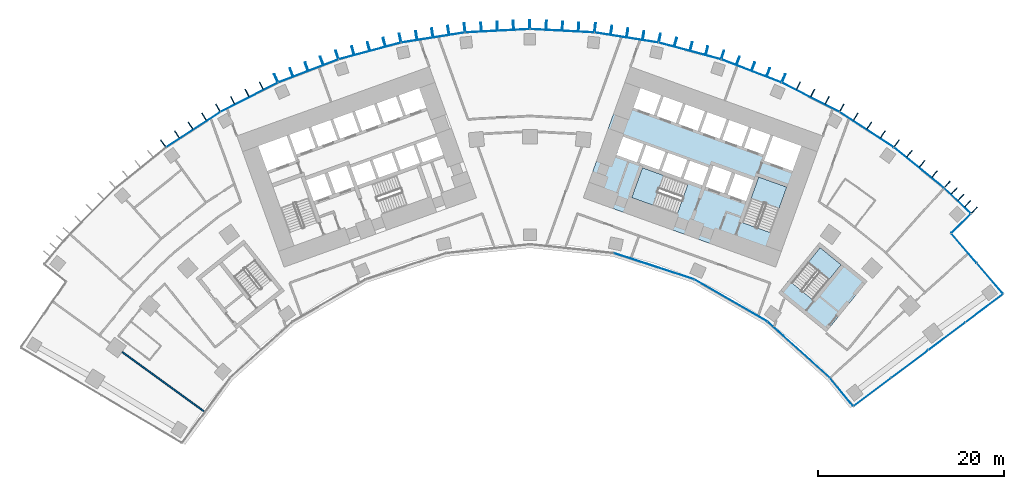
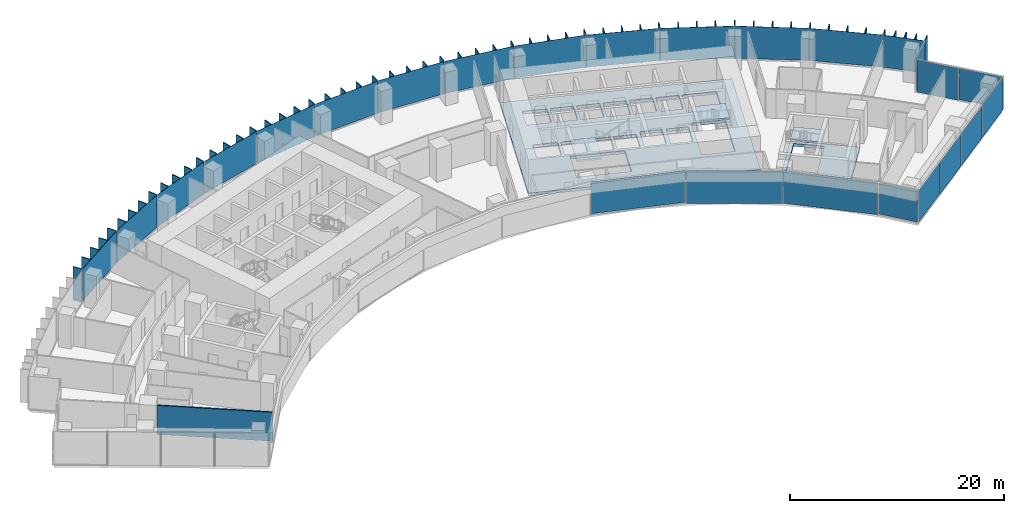
# One storey, part 16 of 24: 82 plates, 5 slabs, 1 wall, 8 elements without a shape of their own.
"""IFC4 building model written with IfcOpenShell, lengths in metres."""

from ifc_helpers import new_model, si_unit, direction, frame, frame_2d, origin, origin_2d, place, context, subcontext, project, spatial, polyline, rectangle, outline, extrude, material, layer, layer_set, type_object, element, aggregate, save


model = new_model("IFC4")

# Units and contexts
model_context = context("Model", 3, precision=1e-05, world=origin(), true_north=direction((0.0, 1.0)))
body_context = subcontext(model_context, "Body", "Model", "MODEL_VIEW")
ifc_project = project(units=[si_unit("LENGTHUNIT", "METRE"), si_unit("AREAUNIT", "SQUARE_METRE"), si_unit("VOLUMEUNIT", "CUBIC_METRE"), si_unit("PLANEANGLEUNIT", "RADIAN"), si_unit("MASSUNIT", "GRAM", prefix="KILO")], contexts=[model_context])

# Site, building, storey
site_placement = place(None, origin())
site = spatial("IfcSite", under=ifc_project, at=site_placement, CompositionType="ELEMENT")
building_placement = place(site_placement, origin())
building = spatial("IfcBuilding", under=site, at=building_placement, Name="Stone Belt Terrace Tower", CompositionType="ELEMENT")
storey_placement = place(building_placement, frame((0.0, 0.0, 75.60009765625)))
storey = spatial("IfcBuildingStorey", under=building, at=storey_placement, Name="L18", CompositionType="ELEMENT", Elevation=75.60009765625)

# Curtain wall, plates
ifc_material_1 = material(Name="Aluminium 6063-T6 anodised frame", Category="aluminium")
ifc_layer_1 = layer(ifc_material_1, 0.14990234375)
ifc_layer_set_1 = layer_set([ifc_layer_1], Name="CW-A unitised convex-face curtain wall")
curtain_wall_type_1 = type_object("IfcCurtainWallType", Name="CW-A unitised convex-face curtain wall", PredefinedType="NOTDEFINED", material=ifc_layer_set_1)
curtain_wall_1_placement = place(storey_placement, origin())
curtain_wall_1 = element("IfcCurtainWall", 1, at=curtain_wall_1_placement, inside=storey, type_object=curtain_wall_type_1, Name="CW-A convex face L18", PredefinedType="NOTDEFINED")
ifc_material_2 = material(Name="Clear double glazed unit")
ifc_layer_2 = layer(ifc_material_2, 0.031982421875)
ifc_layer_set_2 = layer_set([ifc_layer_2], Name="CW-A glass panel 32")
plate_type_1 = type_object("IfcPlateType", Name="CW-A glass panel 32", PredefinedType="CURTAIN_PANEL", material=ifc_layer_set_2)
plate_1_placement = place(storey_placement, frame((45.9765625, 48.109619140625, 0.14013671875), z_axis=(0.0, 0.0, 1.0), x_axis=(-0.723120883539, 0.690721497993, 0.0)))
plate_1 = element("IfcPlate", 2, at=plate_1_placement, type_object=plate_type_1, Name="CW-A panel 1.1", PredefinedType="CURTAIN_PANEL", context=body_context, shape_type="SweptSolid", body=[
    extrude(rectangle(XDim=3.888671875, YDim=0.031982421875, at=origin_2d()), origin(), (0.0, 0.0, 1.0), 3.659912109375),
])
plate_2_placement = place(storey_placement, frame((41.839599609375, 51.667724609375, 0.14013671875), z_axis=(0.0, 0.0, 1.0), x_axis=(-0.777145961457, 0.62932039105, 0.0)))
plate_2 = element("IfcPlate", 3, at=plate_2_placement, type_object=plate_type_1, Name="CW-A panel 2.1", PredefinedType="CURTAIN_PANEL", context=body_context, shape_type="SweptSolid", body=[
    extrude(rectangle(XDim=6.900634765625, YDim=0.031982421875, at=origin_2d()), origin(), (0.0, 0.0, 1.0), 3.659912109375),
])
plate_3_placement = place(storey_placement, frame((36.209716796875, 55.758056640625, 0.14013671875), z_axis=(0.0, 0.0, 1.0), x_axis=(-0.838670567945, 0.544639035015, 0.0)))
plate_3 = element("IfcPlate", 4, at=plate_3_placement, type_object=plate_type_1, Name="CW-A panel 3.1", PredefinedType="CURTAIN_PANEL", context=body_context, shape_type="SweptSolid", body=[
    extrude(rectangle(XDim=6.90087890625, YDim=0.031982421875, at=origin_2d()), origin(), (0.0, 0.0, 1.0), 3.659912109375),
])
plate_4_placement = place(storey_placement, frame((30.18310546875, 59.237548828125, 0.14013671875), z_axis=(0.0, 0.0, 1.0), x_axis=(-0.891006524188, 0.45399049974, 0.0)))
plate_4 = element("IfcPlate", 5, at=plate_4_placement, type_object=plate_type_1, Name="CW-A panel 4.1", PredefinedType="CURTAIN_PANEL", context=body_context, shape_type="SweptSolid", body=[
    extrude(rectangle(XDim=6.90087890625, YDim=0.031982421875, at=origin_2d()), origin(), (0.0, 0.0, 1.0), 3.659912109375),
])
plate_5_placement = place(storey_placement, frame((23.82568359375, 62.068115234375, 0.14013671875), z_axis=(0.0, 0.0, 1.0), x_axis=(-0.933580426497, 0.358367949545, 0.0)))
plate_5 = element("IfcPlate", 6, at=plate_5_placement, type_object=plate_type_1, Name="CW-A panel 5.1", PredefinedType="CURTAIN_PANEL", context=body_context, shape_type="SweptSolid", body=[
    extrude(rectangle(XDim=6.90087890625, YDim=0.031982421875, at=origin_2d()), origin(), (0.0, 0.0, 1.0), 3.659912109375),
])
plate_6_placement = place(storey_placement, frame((17.207275390625, 64.218505859375, 0.14013671875), z_axis=(0.0, 0.0, 1.0), x_axis=(-0.965925826289, 0.258819045103, 0.0)))
plate_6 = element("IfcPlate", 7, at=plate_6_placement, type_object=plate_type_1, Name="CW-A panel 6.1", PredefinedType="CURTAIN_PANEL", context=body_context, shape_type="SweptSolid", body=[
    extrude(rectangle(XDim=6.90087890625, YDim=0.031982421875, at=origin_2d()), origin(), (0.0, 0.0, 1.0), 3.659912109375),
])
plate_7_placement = place(storey_placement, frame((10.400390625, 65.665283203125, 0.14013671875), z_axis=(0.0, 0.0, 1.0), x_axis=(-0.987688340595, 0.15643446504, 0.0)))
plate_7 = element("IfcPlate", 8, at=plate_7_placement, type_object=plate_type_1, Name="CW-A panel 7.1", PredefinedType="CURTAIN_PANEL", context=body_context, shape_type="SweptSolid", body=[
    extrude(rectangle(XDim=6.90087890625, YDim=0.031982421875, at=origin_2d()), origin(), (0.0, 0.0, 1.0), 3.659912109375),
])
plate_8_placement = place(storey_placement, frame((3.4794921875, 66.392822265625, 0.14013671875), z_axis=(0.0, 0.0, 1.0), x_axis=(-0.998629534755, 0.052335956243, 0.0)))
plate_8 = element("IfcPlate", 9, at=plate_8_placement, type_object=plate_type_1, Name="CW-A panel 8.1", PredefinedType="CURTAIN_PANEL", context=body_context, shape_type="SweptSolid", body=[
    extrude(rectangle(XDim=6.90087890625, YDim=0.031982421875, at=origin_2d()), origin(), (0.0, 0.0, 1.0), 3.659912109375),
])
plate_9_placement = place(storey_placement, frame((-3.4794921875, 66.392822265625, 0.14013671875), z_axis=(0.0, 0.0, 1.0), x_axis=(-0.998629534755, -0.052335956243, 0.0)))
plate_9 = element("IfcPlate", 10, at=plate_9_placement, type_object=plate_type_1, Name="CW-A panel 9.1", PredefinedType="CURTAIN_PANEL", context=body_context, shape_type="SweptSolid", body=[
    extrude(rectangle(XDim=6.90087890625, YDim=0.031982421875, at=origin_2d()), origin(), (0.0, 0.0, 1.0), 3.659912109375),
])
plate_10_placement = place(storey_placement, frame((-10.400390625, 65.665283203125, 0.14013671875), z_axis=(0.0, 0.0, 1.0), x_axis=(-0.987688340595, -0.15643446504, 0.0)))
plate_10 = element("IfcPlate", 11, at=plate_10_placement, type_object=plate_type_1, Name="CW-A panel 10.1", PredefinedType="CURTAIN_PANEL", context=body_context, shape_type="SweptSolid", body=[
    extrude(rectangle(XDim=6.90087890625, YDim=0.031982421875, at=origin_2d()), origin(), (0.0, 0.0, 1.0), 3.659912109375),
])
plate_11_placement = place(storey_placement, frame((-17.207275390625, 64.218505859375, 0.14013671875), z_axis=(0.0, 0.0, 1.0), x_axis=(-0.965925826289, -0.258819045103, 0.0)))
plate_11 = element("IfcPlate", 12, at=plate_11_placement, type_object=plate_type_1, Name="CW-A panel 11.1", PredefinedType="CURTAIN_PANEL", context=body_context, shape_type="SweptSolid", body=[
    extrude(rectangle(XDim=6.90087890625, YDim=0.031982421875, at=origin_2d()), origin(), (0.0, 0.0, 1.0), 3.659912109375),
])
plate_12_placement = place(storey_placement, frame((-23.82568359375, 62.068115234375, 0.14013671875), z_axis=(0.0, 0.0, 1.0), x_axis=(-0.933580426497, -0.358367949545, 0.0)))
plate_12 = element("IfcPlate", 13, at=plate_12_placement, type_object=plate_type_1, Name="CW-A panel 12.1", PredefinedType="CURTAIN_PANEL", context=body_context, shape_type="SweptSolid", body=[
    extrude(rectangle(XDim=6.90087890625, YDim=0.031982421875, at=origin_2d()), origin(), (0.0, 0.0, 1.0), 3.659912109375),
])
plate_13_placement = place(storey_placement, frame((-30.18310546875, 59.237548828125, 0.14013671875), z_axis=(0.0, 0.0, 1.0), x_axis=(-0.891006524188, -0.45399049974, 0.0)))
plate_13 = element("IfcPlate", 14, at=plate_13_placement, type_object=plate_type_1, Name="CW-A panel 13.1", PredefinedType="CURTAIN_PANEL", context=body_context, shape_type="SweptSolid", body=[
    extrude(rectangle(XDim=6.90087890625, YDim=0.031982421875, at=origin_2d()), origin(), (0.0, 0.0, 1.0), 3.659912109375),
])
plate_14_placement = place(storey_placement, frame((-36.209716796875, 55.758056640625, 0.14013671875), z_axis=(0.0, 0.0, 1.0), x_axis=(-0.838670567945, -0.544639035015, 0.0)))
plate_14 = element("IfcPlate", 15, at=plate_14_placement, type_object=plate_type_1, Name="CW-A panel 14.1", PredefinedType="CURTAIN_PANEL", context=body_context, shape_type="SweptSolid", body=[
    extrude(rectangle(XDim=6.90087890625, YDim=0.031982421875, at=origin_2d()), origin(), (0.0, 0.0, 1.0), 3.659912109375),
])
aggregate(curtain_wall_1, [plate_1, plate_2, plate_3, plate_4, plate_5, plate_6, plate_7, plate_8, plate_9, plate_10, plate_11, plate_12, plate_13, plate_14])

ifc_layer_3 = layer(ifc_material_1, 0.14990234375)
ifc_layer_set_3 = layer_set([ifc_layer_3], Name="CW-B unitised concave-face curtain wall")
curtain_wall_type_2 = type_object("IfcCurtainWallType", Name="CW-B unitised concave-face curtain wall", PredefinedType="NOTDEFINED", material=ifc_layer_set_3)
curtain_wall_2_placement = place(storey_placement, origin())
curtain_wall_2 = element("IfcCurtainWall", 16, at=curtain_wall_2_placement, inside=storey, type_object=curtain_wall_type_2, Name="CW-B concave face L18", PredefinedType="NOTDEFINED")
ifc_layer_4 = layer(ifc_material_2, 0.030029296875)
ifc_layer_set_4 = layer_set([ifc_layer_4], Name="CW-B glass panel 30")
plate_type_2 = type_object("IfcPlateType", Name="CW-B glass panel 30", PredefinedType="CURTAIN_PANEL", material=ifc_layer_set_4)
plate_15_placement = place(storey_placement, frame((13.345458984375, 41.072998046875, 0.119873046875), z_axis=(0.0, 0.0, 1.0), x_axis=(0.951056516295, -0.309016994375, 0.0)))
plate_15 = element("IfcPlate", 17, at=plate_15_placement, type_object=plate_type_2, Name="CW-B panel 7.1", PredefinedType="CURTAIN_PANEL", context=body_context, shape_type="SweptSolid", body=[
    extrude(rectangle(XDim=9.0126953125, YDim=0.030029296875, at=origin_2d()), origin(), (0.0, 0.0, 1.0), 3.56005859375),
])
plate_16_placement = place(storey_placement, frame((21.59326171875, 37.40087890625, 0.0), z_axis=(0.0, 0.0, 1.0), x_axis=(0.866025403784, -0.5, 0.0)))
plate_16 = element("IfcPlate", 18, at=plate_16_placement, type_object=plate_type_2, Name="CW-B panel 8.1", PredefinedType="CURTAIN_PANEL", context=body_context, shape_type="SweptSolid", body=[
    extrude(rectangle(XDim=9.0126953125, YDim=0.030029296875, at=origin_2d()), origin(), (0.0, 0.0, 1.0), 3.679931640625),
])
plate_17_placement = place(storey_placement, frame((28.899169921875, 32.092529296875, 0.0), z_axis=(0.0, 0.0, 1.0), x_axis=(0.743144825477, -0.669130606359, 0.0)))
plate_17 = element("IfcPlate", 19, at=plate_17_placement, type_object=plate_type_2, Name="CW-B panel 9.1", PredefinedType="CURTAIN_PANEL", context=body_context, shape_type="SweptSolid", body=[
    extrude(rectangle(XDim=9.017333984375, YDim=0.030029296875, at=origin_2d()), origin(), (0.0, 0.0, 1.0), 3.679931640625),
])
plate_18_placement = place(storey_placement, frame((33.517333984375, 27.541748046875, 0.119873046875), z_axis=(0.0, 0.0, 1.0), x_axis=(0.635210426236, -0.772339118782, 0.0)))
plate_18 = element("IfcPlate", 20, at=plate_18_placement, type_object=plate_type_2, Name="CW-B panel 10.1", PredefinedType="CURTAIN_PANEL", context=body_context, shape_type="SweptSolid", body=[
    extrude(rectangle(XDim=3.858154296875, YDim=0.030029296875, at=origin_2d()), origin(), (0.0, 0.0, 1.0), 3.56005859375),
])
aggregate(curtain_wall_2, [plate_15, plate_16, plate_17, plate_18])

ifc_layer_5 = layer(ifc_material_1, 0.14990234375)
ifc_layer_set_5 = layer_set([ifc_layer_5], Name="CW-C stick curtain wall, horn ends and notches")
curtain_wall_type_3 = type_object("IfcCurtainWallType", Name="CW-C stick curtain wall, horn ends and notches", PredefinedType="NOTDEFINED", material=ifc_layer_set_5)
curtain_wall_3_placement = place(storey_placement, origin())
curtain_wall_3 = element("IfcCurtainWall", 21, at=curtain_wall_3_placement, inside=storey, type_object=curtain_wall_type_3, Name="CW-C end face L18", PredefinedType="NOTDEFINED")
ifc_layer_6 = layer(ifc_material_2, 0.028076171875)
ifc_layer_set_6 = layer_set([ifc_layer_6], Name="CW-C glass panel 28")
plate_type_3 = type_object("IfcPlateType", Name="CW-C glass panel 28", PredefinedType="CURTAIN_PANEL", material=ifc_layer_set_6)
plate_19_placement = place(storey_placement, frame((36.8330078125, 27.532470703125, 0.119873046875), z_axis=(0.0, 0.0, 1.0), x_axis=(0.799986505357, 0.600017992436, 0.0)))
plate_19 = element("IfcPlate", 22, at=plate_19_placement, type_object=plate_type_3, Name="CW-C panel 1.1", PredefinedType="CURTAIN_PANEL", context=body_context, shape_type="SweptSolid", body=[
    extrude(rectangle(XDim=4.96826171875, YDim=0.028076171875, at=origin_2d()), origin(), (0.0, 0.0, 1.0), 3.56005859375),
])
plate_20_placement = place(storey_placement, frame((40.84423828125, 30.541015625, 0.0), z_axis=(0.0, 0.0, 1.0), x_axis=(0.799986505357, 0.600017992436, 0.0)))
plate_20 = element("IfcPlate", 23, at=plate_20_placement, type_object=plate_type_3, Name="CW-C panel 2.1", PredefinedType="CURTAIN_PANEL", context=body_context, shape_type="SweptSolid", body=[
    extrude(rectangle(XDim=4.93994140625, YDim=0.028076171875, at=origin_2d()), origin(), (0.0, 0.0, 1.0), 3.679931640625),
])
plate_21_placement = place(storey_placement, frame((44.84423828125, 33.541015625, 0.0), z_axis=(0.0, 0.0, 1.0), x_axis=(0.799986505357, 0.600017992436, 0.0)))
plate_21 = element("IfcPlate", 24, at=plate_21_placement, type_object=plate_type_3, Name="CW-C panel 3.1", PredefinedType="CURTAIN_PANEL", context=body_context, shape_type="SweptSolid", body=[
    extrude(rectangle(XDim=4.93994140625, YDim=0.028076171875, at=origin_2d()), origin(), (0.0, 0.0, 1.0), 3.679931640625),
])
plate_22_placement = place(storey_placement, frame((48.858154296875, 36.551513671875, 0.0), z_axis=(0.0, 0.0, 1.0), x_axis=(0.799986505357, 0.600017992436, 0.0)))
plate_22 = element("IfcPlate", 25, at=plate_22_placement, type_object=plate_type_3, Name="CW-C panel 4.1", PredefinedType="CURTAIN_PANEL", context=body_context, shape_type="SweptSolid", body=[
    extrude(rectangle(XDim=4.974853515625, YDim=0.028076171875, at=origin_2d()), origin(), (0.0, 0.0, 1.0), 3.679931640625),
])
aggregate(curtain_wall_3, [plate_19, plate_20, plate_21, plate_22])

curtain_wall_4_placement = place(storey_placement, origin())
curtain_wall_4 = element("IfcCurtainWall", 26, at=curtain_wall_4_placement, inside=storey, type_object=curtain_wall_type_3, Name="CW-C notch face L18", PredefinedType="NOTDEFINED")
plate_23_placement = place(storey_placement, frame((49.466064453125, 39.76318359375, 0.119873046875), z_axis=(0.0, 0.0, 1.0), x_axis=(-0.652737860281, 0.757583847343, 0.0)))
plate_23 = element("IfcPlate", 27, at=plate_23_placement, type_object=plate_type_3, Name="CW-C panel 1.1", PredefinedType="CURTAIN_PANEL", context=body_context, shape_type="SweptSolid", body=[
    extrude(rectangle(XDim=4.268798828125, YDim=0.028076171875, at=origin_2d()), origin(), (0.0, 0.0, 1.0), 3.56005859375),
])
plate_24_placement = place(storey_placement, frame((46.68896484375, 42.986572265625, 0.0), z_axis=(0.0, 0.0, 1.0), x_axis=(-0.652737860281, 0.757583847343, 0.0)))
plate_24 = element("IfcPlate", 28, at=plate_24_placement, type_object=plate_type_3, Name="CW-C panel 2.1", PredefinedType="CURTAIN_PANEL", context=body_context, shape_type="SweptSolid", body=[
    extrude(rectangle(XDim=4.12060546875, YDim=0.028076171875, at=origin_2d()), origin(), (0.0, 0.0, 1.0), 3.679931640625),
])
aggregate(curtain_wall_4, [plate_23, plate_24])

# Curtain wall, plate
curtain_wall_5_placement = place(storey_placement, origin())
curtain_wall_5 = element("IfcCurtainWall", 29, at=curtain_wall_5_placement, inside=storey, type_object=curtain_wall_type_3, Name="CW-C notch face L18", PredefinedType="NOTDEFINED")
plate_25_placement = place(storey_placement, frame((46.365966796875, 45.658447265625, 0.119873046875), z_axis=(0.0, 0.0, 1.0), x_axis=(0.711713447851, 0.702469905511, 0.0)))
plate_25 = element("IfcPlate", 30, at=plate_25_placement, type_object=plate_type_3, Name="CW-C panel 1.1", PredefinedType="CURTAIN_PANEL", context=body_context, shape_type="SweptSolid", body=[
    extrude(rectangle(XDim=2.859375, YDim=0.028076171875, at=origin_2d()), origin(), (0.0, 0.0, 1.0), 3.56005859375),
])
aggregate(curtain_wall_5, [plate_25])

# Slabs
ifc_material_3 = material(Name="Concrete B40", Category="concrete")
ifc_layer_7 = layer(ifc_material_3, 0.320068359375)
ifc_layer_set_7 = layer_set([ifc_layer_7], Name="Core floor slab 320")
slab_type_1 = type_object("IfcSlabType", Name="Core floor slab 320", PredefinedType="FLOOR", material=ifc_layer_set_7)
slab_1_placement = place(storey_placement, frame((0.0, 0.0, -0.320068359375)))
element("IfcSlab", 31, at=slab_1_placement, inside=storey, type_object=slab_type_1, Name="Core B floor L18", PredefinedType="FLOOR", context=body_context, shape_type="SweptSolid", body=[
    extrude(outline(polyline([(26.43505859375, 40.968994140625), (31.513916015625, 55.0830078125), (10.81396484375, 62.531982421875), (5.735107421875, 48.4189453125), (26.43505859375, 40.968994140625)]), holes=[polyline([(12.10595703125, 51.652099609375), (16.998046875, 49.89208984375), (15.846923828125, 46.69189453125), (10.955078125, 48.452880859375), (12.10595703125, 51.652099609375)]), polyline([(19.239990234375, 51.68896484375), (18.5458984375, 49.760009765625), (16.52294921875, 50.488037109375), (17.217041015625, 52.4169921875), (19.239990234375, 51.68896484375)]), polyline([(16.239990234375, 50.589111328125), (14.169921875, 51.333984375), (14.864013671875, 53.262939453125), (16.93408203125, 52.51806640625), (16.239990234375, 50.589111328125)]), polyline([(14.58203125, 53.364990234375), (13.887939453125, 51.43603515625), (11.864990234375, 52.1640625), (11.847900390625, 52.116943359375), (11.801025390625, 52.134033203125), (12.511962890625, 54.110107421875), (14.58203125, 53.364990234375)]), polyline([(9.30810546875, 53.031005859375), (10.01904296875, 55.007080078125), (12.22998046875, 54.2109375), (11.51904296875, 52.235107421875), (9.30810546875, 53.031005859375)]), polyline([(16.743896484375, 58.485107421875), (18.81396484375, 57.739990234375), (18.052001953125, 55.623046875), (15.98193359375, 56.367919921875), (16.743896484375, 58.485107421875)]), polyline([(14.39111328125, 59.33203125), (16.4609375, 58.5869140625), (15.699951171875, 56.469970703125), (13.6298828125, 57.215087890625), (14.39111328125, 59.33203125)]), polyline([(11.89794921875, 60.22900390625), (14.10888671875, 59.43408203125), (13.346923828125, 57.31591796875), (11.135986328125, 58.112060546875), (11.89794921875, 60.22900390625)]), polyline([(25.85888671875, 44.68408203125), (22.847900390625, 45.76806640625), (24.60791015625, 50.659912109375), (27.618896484375, 49.575927734375), (25.85888671875, 44.68408203125)]), polyline([(21.27392578125, 48.778076171875), (22.0869140625, 51.035888671875), (24.06298828125, 50.324951171875), (23.25, 48.06689453125), (21.27392578125, 48.778076171875)]), polyline([(18.922119140625, 49.6240234375), (19.735107421875, 51.883056640625), (21.7109375, 51.1708984375), (20.89794921875, 48.9130859375), (18.922119140625, 49.6240234375)]), polyline([(29.2109375, 53.9990234375), (28.24609375, 51.31689453125), (25.18798828125, 52.41796875), (26.153076171875, 55.09912109375), (29.2109375, 53.9990234375)]), polyline([(23.801025390625, 55.946044921875), (25.87109375, 55.200927734375), (25.10888671875, 53.083984375), (23.0390625, 53.8291015625), (23.801025390625, 55.946044921875)]), polyline([(21.447998046875, 56.7919921875), (23.51806640625, 56.047119140625), (22.756103515625, 53.929931640625), (20.68603515625, 54.675048828125), (21.447998046875, 56.7919921875)]), polyline([(19.095947265625, 57.638916015625), (21.166015625, 56.89404296875), (20.404052734375, 54.777099609375), (18.333984375, 55.52197265625), (19.095947265625, 57.638916015625)])]), origin(), (0.0, 0.0, 1.0), 0.320068359375),
])
slab_2_placement = place(storey_placement, frame((0.0, 0.0, -0.320068359375)))
element("IfcSlab", 32, at=slab_2_placement, inside=storey, type_object=slab_type_1, Name="Exit stair ST3B floor L18", PredefinedType="FLOOR", context=body_context, shape_type="SweptSolid", body=[
    extrude(outline(polyline([(26.741943359375, 38.18408203125), (31.866943359375, 34.02392578125), (36.278076171875, 39.458984375), (31.154052734375, 43.618896484375), (26.741943359375, 38.18408203125)]), holes=[polyline([(30.407958984375, 37.462890625), (28.156005859375, 39.291015625), (31.2119140625, 43.055908203125), (33.464111328125, 41.22802734375), (30.407958984375, 37.462890625)])]), origin(), (0.0, 0.0, 1.0), 0.320068359375),
])

# Stair, slab
stair_type = type_object("IfcStairType", Name="Exit stair 1500", PredefinedType="HALF_TURN_STAIR", material=ifc_material_3)
stair_1_placement = place(storey_placement, origin())
stair_1 = element("IfcStair", 33, at=stair_1_placement, inside=storey, type_object=stair_type, Name="L18 Exit stair 1 core B", PredefinedType="HALF_TURN_STAIR")
ifc_layer_8 = layer(ifc_material_3, 0.199951171875)
ifc_layer_set_8 = layer_set([ifc_layer_8], Name="Stair landing 200")
slab_type_2 = type_object("IfcSlabType", Name="Stair landing 200", PredefinedType="LANDING", material=ifc_layer_set_8)
slab_3_placement = place(storey_placement, frame((0.0, 0.0, 1.699951171875)))
slab_3 = element("IfcSlab", 34, at=slab_3_placement, type_object=slab_type_2, Name="ST1B landing 1", PredefinedType="LANDING", context=body_context, shape_type="SweptSolid", body=[
    extrude(outline(polyline([(26.806396484375, 47.3173828125), (27.619384765625, 49.576171875), (24.6083984375, 50.659912109375), (23.79541015625, 48.40087890625), (26.806396484375, 47.3173828125)])), origin(), (0.0, 0.0, 1.0), 0.199951171875),
])
aggregate(stair_1, [slab_3])

stair_2_placement = place(storey_placement, origin())
stair_2 = element("IfcStair", 35, at=stair_2_placement, inside=storey, type_object=stair_type, Name="L18 Exit stair 2 core B", PredefinedType="HALF_TURN_STAIR")
slab_4_placement = place(storey_placement, frame((0.0, 0.0, 1.699951171875)))
slab_4 = element("IfcSlab", 36, at=slab_4_placement, type_object=slab_type_2, Name="ST2B landing 1", PredefinedType="LANDING", context=body_context, shape_type="SweptSolid", body=[
    extrude(outline(polyline([(14.36474609375, 50.839111328125), (12.10595703125, 51.652099609375), (10.95458984375, 48.453125), (13.213623046875, 47.64013671875), (14.36474609375, 50.839111328125)])), origin(), (0.0, 0.0, 1.0), 0.199951171875),
])
aggregate(stair_2, [slab_4])

stair_3_placement = place(storey_placement, origin())
stair_3 = element("IfcStair", 37, at=stair_3_placement, inside=storey, type_object=stair_type, Name="L18 Exit stair 3B", PredefinedType="HALF_TURN_STAIR")
slab_5_placement = place(storey_placement, frame((0.0, 0.0, 1.699951171875)))
slab_5 = element("IfcSlab", 38, at=slab_5_placement, type_object=slab_type_2, Name="ST3B landing 1", PredefinedType="LANDING", context=body_context, shape_type="SweptSolid", body=[
    extrude(outline(polyline([(32.17138671875, 39.635986328125), (33.4638671875, 41.228271484375), (31.21240234375, 43.055908203125), (29.919921875, 41.463623046875), (32.17138671875, 39.635986328125)])), origin(), (0.0, 0.0, 1.0), 0.199951171875),
])
aggregate(stair_3, [slab_5])

# Plates
ifc_material_4 = material(Name="Terracotta coloured glazed ceramic", Category="masonry")
ifc_layer_9 = layer(ifc_material_4, 0.10009765625)
ifc_layer_set_9 = layer_set([ifc_layer_9], Name="Terracotta fin 100 x 900")
plate_type_4 = type_object("IfcPlateType", Name="Terracotta fin 100 x 900", PredefinedType="SHEET", material=ifc_layer_set_9)
for number, where, z_axis, x_axis, name in (
    (39, (47.79931640625, 47.0947265625, 0.0), (0.0, 0.0, 1.0), (0.690721497993, 0.723120883539, 0.0), "FIN L18 1.1"),
    (40, (47.07666015625, 47.784912109375, 0.0), (0.0, 0.0, 1.0), (0.690721497993, 0.723120883539, 0.0), "FIN L18 1.2"),
    (41, (46.354248046875, 48.474853515625, 0.0), (0.0, 0.0, 1.0), (0.690721497993, 0.723120883539, 0.0), "FIN L18 1.3"),
    (42, (45.6318359375, 49.1650390625, 0.0), (0.0, 0.0, 1.0), (0.690721497993, 0.723120883539, 0.0), "FIN L18 1.4"),
    (43, (44.8935546875, 49.86962890625, 0.0), (0.0, 0.0, 1.0), (0.660573481499, 0.75076139721, 0.0), "FIN L18 2.1"),
    (44, (43.5234375, 50.979736328125, 0.0), (0.0, 0.0, 1.0), (0.62932039105, 0.777145961457, 0.0), "FIN L18 2.2"),
    (45, (42.169677734375, 52.075927734375, 0.0), (0.0, 0.0, 1.0), (0.62932039105, 0.777145961457, 0.0), "FIN L18 2.3"),
    (46, (40.81591796875, 53.172119140625, 0.0), (0.0, 0.0, 1.0), (0.62932039105, 0.777145961457, 0.0), "FIN L18 2.4"),
    (47, (39.4404296875, 54.28515625, 0.0), (0.0, 0.0, 1.0), (0.587785252292, 0.809016994375, 0.0), "FIN L18 3.1"),
    (48, (37.956787109375, 55.24951171875, 0.0), (0.0, 0.0, 1.0), (0.544639035015, 0.838670567945, 0.0), "FIN L18 3.2"),
    (49, (36.49560546875, 56.1982421875, 0.0), (0.0, 0.0, 1.0), (0.544639035015, 0.838670567945, 0.0), "FIN L18 3.3"),
    (50, (35.03466796875, 57.147216796875, 0.0), (0.0, 0.0, 1.0), (0.544639035015, 0.838670567945, 0.0), "FIN L18 3.4"),
    (51, (33.550048828125, 58.1103515625, 0.0), (0.0, 0.0, 1.0), (0.5, 0.866025403784, 0.0), "FIN L18 4.1"),
    (52, (31.9736328125, 58.914306640625, 0.0), (0.0, 0.0, 1.0), (0.45399049974, 0.891006524188, 0.0), "FIN L18 4.2"),
    (53, (30.42138671875, 59.705322265625, 0.0), (0.0, 0.0, 1.0), (0.45399049974, 0.891006524188, 0.0), "FIN L18 4.3"),
    (54, (28.869140625, 60.496337890625, 0.0), (0.0, 0.0, 1.0), (0.45399049974, 0.891006524188, 0.0), "FIN L18 4.4"),
    (55, (27.2919921875, 61.299072265625, 0.0), (0.0, 0.0, 1.0), (0.406736643076, 0.913545457643, 0.0), "FIN L18 5.1"),
    (56, (25.64013671875, 61.933837890625, 0.0), (0.0, 0.0, 1.0), (0.358367949545, 0.933580426497, 0.0), "FIN L18 5.2"),
    (57, (24.013916015625, 62.55810546875, 0.0), (0.0, 0.0, 1.0), (0.358367949545, 0.933580426497, 0.0), "FIN L18 5.3"),
    (58, (22.387451171875, 63.182373046875, 0.0), (0.0, 0.0, 1.0), (0.358367949545, 0.933580426497, 0.0), "FIN L18 5.4"),
    (59, (20.735107421875, 63.81591796875, 0.0), (0.0, 0.0, 1.0), (0.309016994375, 0.951056516295, 0.0), "FIN L18 6.1"),
    (60, (19.02587890625, 64.274658203125, 0.0), (0.0, 0.0, 1.0), (0.258819045103, 0.965925826289, 0.0), "FIN L18 6.2"),
    (61, (17.34326171875, 64.7255859375, 0.0), (0.0, 0.0, 1.0), (0.258819045103, 0.965925826289, 0.0), "FIN L18 6.3"),
    (62, (15.660400390625, 65.176513671875, 0.0), (0.0, 0.0, 1.0), (0.258819045103, 0.965925826289, 0.0), "FIN L18 6.4"),
    (63, (13.950927734375, 65.6337890625, 0.0), (0.0, 0.0, 1.0), (0.207911690818, 0.978147600734, 0.0), "FIN L18 7.1"),
    (64, (12.203125, 65.911376953125, 0.0), (0.0, 0.0, 1.0), (0.15643446504, 0.987688340595, 0.0), "FIN L18 7.2"),
    (65, (10.482421875, 66.183837890625, 0.0), (0.0, 0.0, 1.0), (0.15643446504, 0.987688340595, 0.0), "FIN L18 7.3"),
    (66, (8.76171875, 66.456298828125, 0.0), (0.0, 0.0, 1.0), (0.15643446504, 0.987688340595, 0.0), "FIN L18 7.4"),
    (67, (7.013916015625, 66.732421875, 0.0), (0.0, 0.0, 1.0), (0.104528463268, 0.994521895368, 0.0), "FIN L18 8.1"),
    (68, (5.246826171875, 66.825927734375, 0.0), (0.0, 0.0, 1.0), (0.052335956243, 0.998629534755, 0.0), "FIN L18 8.2"),
    (69, (3.507080078125, 66.9169921875, 0.0), (0.0, 0.0, 1.0), (0.052335956243, 0.998629534755, 0.0), "FIN L18 8.3"),
    (70, (1.767333984375, 67.00830078125, 0.0), (0.0, 0.0, 1.0), (0.052335956243, 0.998629534755, 0.0), "FIN L18 8.4"),
    (71, (0.0, 67.10009765625, 0.0), (0.0, 0.0, 1.0), (0.0, 1.0, 0.0), "FIN L18 9.1"),
    (72, (-1.767333984375, 67.00830078125, 0.0), (0.0, 0.0, 1.0), (-0.052335956243, 0.998629534755, 0.0), "FIN L18 9.2"),
    (73, (-3.507080078125, 66.9169921875, 0.0), (0.0, 0.0, 1.0), (-0.052335956243, 0.998629534755, 0.0), "FIN L18 9.3"),
    (74, (-5.246826171875, 66.825927734375, 0.0), (0.0, 0.0, 1.0), (-0.052335956243, 0.998629534755, 0.0), "FIN L18 9.4"),
    (75, (-7.013916015625, 66.732421875, 0.0), (0.0, 0.0, 1.0), (-0.104528463268, 0.994521895368, 0.0), "FIN L18 10.1"),
    (76, (-8.76171875, 66.456298828125, 0.0), (0.0, 0.0, 1.0), (-0.15643446504, 0.987688340595, 0.0), "FIN L18 10.2"),
    (77, (-10.482421875, 66.183837890625, 0.0), (0.0, 0.0, 1.0), (-0.15643446504, 0.987688340595, 0.0), "FIN L18 10.3"),
    (78, (-12.203125, 65.911376953125, 0.0), (0.0, 0.0, 1.0), (-0.15643446504, 0.987688340595, 0.0), "FIN L18 10.4"),
    (79, (-13.950927734375, 65.6337890625, 0.0), (0.0, 0.0, 1.0), (-0.207911690818, 0.978147600734, 0.0), "FIN L18 11.1"),
    (80, (-15.660400390625, 65.176513671875, 0.0), (0.0, 0.0, 1.0), (-0.258819045103, 0.965925826289, 0.0), "FIN L18 11.2"),
    (81, (-17.34326171875, 64.7255859375, 0.0), (0.0, 0.0, 1.0), (-0.258819045103, 0.965925826289, 0.0), "FIN L18 11.3"),
    (82, (-19.02587890625, 64.274658203125, 0.0), (0.0, 0.0, 1.0), (-0.258819045103, 0.965925826289, 0.0), "FIN L18 11.4"),
    (83, (-20.735107421875, 63.81591796875, 0.0), (0.0, 0.0, 1.0), (-0.309016994375, 0.951056516295, 0.0), "FIN L18 12.1"),
    (84, (-22.387451171875, 63.182373046875, 0.0), (0.0, 0.0, 1.0), (-0.358367949545, 0.933580426497, 0.0), "FIN L18 12.2"),
    (85, (-24.013916015625, 62.55810546875, 0.0), (0.0, 0.0, 1.0), (-0.358367949545, 0.933580426497, 0.0), "FIN L18 12.3"),
    (86, (-25.64013671875, 61.933837890625, 0.0), (0.0, 0.0, 1.0), (-0.358367949545, 0.933580426497, 0.0), "FIN L18 12.4"),
    (87, (-27.2919921875, 61.299072265625, 0.0), (0.0, 0.0, 1.0), (-0.406736643076, 0.913545457643, 0.0), "FIN L18 13.1"),
    (88, (-28.869140625, 60.496337890625, 0.0), (0.0, 0.0, 1.0), (-0.45399049974, 0.891006524188, 0.0), "FIN L18 13.2"),
    (89, (-30.42138671875, 59.705322265625, 0.0), (0.0, 0.0, 1.0), (-0.45399049974, 0.891006524188, 0.0), "FIN L18 13.3"),
    (90, (-31.9736328125, 58.914306640625, 0.0), (0.0, 0.0, 1.0), (-0.45399049974, 0.891006524188, 0.0), "FIN L18 13.4"),
    (91, (-33.550048828125, 58.1103515625, 0.0), (0.0, 0.0, 1.0), (-0.5, 0.866025403784, 0.0), "FIN L18 14.1"),
    (92, (-35.03466796875, 57.147216796875, 0.0), (0.0, 0.0, 1.0), (-0.544639035015, 0.838670567945, 0.0), "FIN L18 14.2"),
    (93, (-36.49560546875, 56.1982421875, 0.0), (0.0, 0.0, 1.0), (-0.544639035015, 0.838670567945, 0.0), "FIN L18 14.3"),
    (94, (-37.956787109375, 55.24951171875, 0.0), (0.0, 0.0, 1.0), (-0.544639035015, 0.838670567945, 0.0), "FIN L18 14.4"),
    (95, (-39.4404296875, 54.28515625, 0.0), (0.0, 0.0, 1.0), (-0.587785252292, 0.809016994375, 0.0), "FIN L18 15.1"),
):
    element("IfcPlate", number, at=place(storey_placement, frame(where, z_axis=z_axis, x_axis=x_axis)), inside=storey, type_object=plate_type_4, Name=name, PredefinedType="SHEET", context=body_context, shape_type="SweptSolid", body=[
        extrude(rectangle(XDim=0.89990234375, YDim=0.10009765625, at=origin_2d()), origin(), (0.0, 0.0, 1.0), 3.800048828125),
    ])

# Wall
ifc_material_5 = material(Name="Gypsum board partition")
ifc_layer_10 = layer(ifc_material_5, 0.14990234375)
ifc_layer_set_10 = layer_set([ifc_layer_10], Name="PARTITION 150 EI 60")
wall_type = type_object("IfcWallType", Name="PARTITION 150 EI 60", PredefinedType="PARTITIONING", material=ifc_layer_set_10)
wall_placement = place(storey_placement, frame((-43.82470703125, 31.83984375, 0.0), z_axis=(0.0, 0.0, 1.0), x_axis=(0.80903281135, -0.587763481478, 0.0)))
element("IfcWall", 96, at=wall_placement, inside=storey, type_object=wall_type, Name="L18/wall/i032", PredefinedType="PARTITIONING", context=body_context, shape_type="SweptSolid", body=[
    extrude(rectangle(XDim=10.883544921875, YDim=0.14990234375, at=frame_2d((5.44189453125, 0.0))), origin(), (0.0, 0.0, 1.0), 3.2998046875),
])

save(model, "model.ifc")
